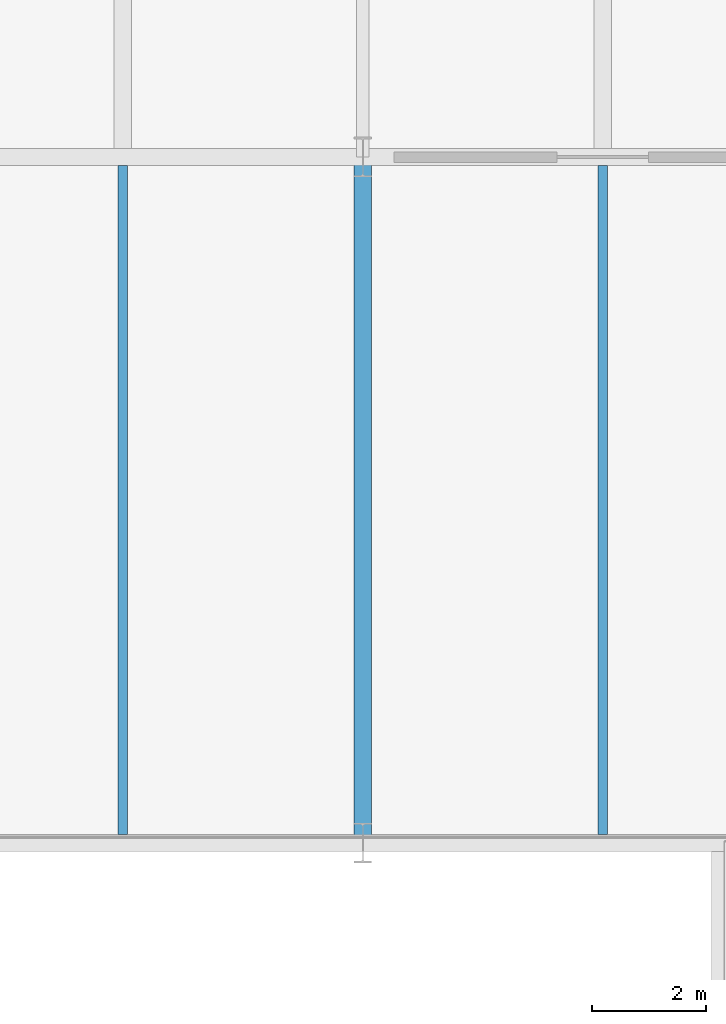
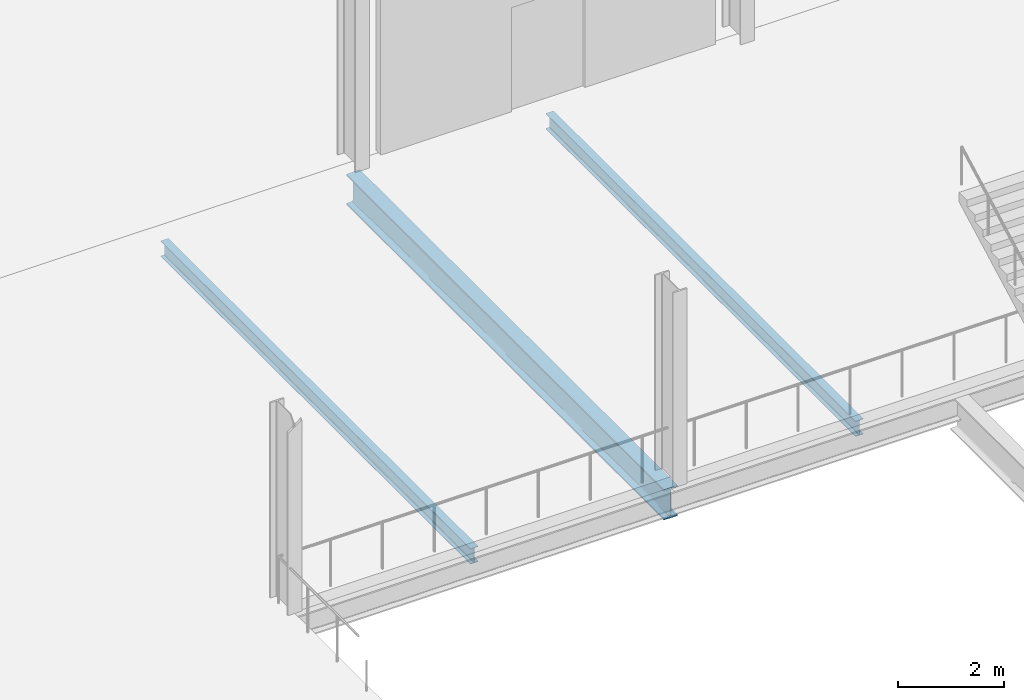
# One storey, part 49 of 113: 3 beams.
"""IFC4 building model written with IfcOpenShell, lengths in metres."""

from ifc_helpers import new_model, si_unit, direction, frame, origin, origin_2d, place, context, subcontext, project, spatial, i_section, extrude, material, material_profile, profile_set, type_object, element, save


model = new_model("IFC4")

# Units and contexts
model_context = context("Model", 3, precision=1e-05, world=origin(), true_north=direction((0.0, 1.0)))
body_context = subcontext(model_context, "Body", "Model", "MODEL_VIEW")
ifc_project = project(units=[si_unit("LENGTHUNIT", "METRE"), si_unit("AREAUNIT", "SQUARE_METRE"), si_unit("VOLUMEUNIT", "CUBIC_METRE"), si_unit("PLANEANGLEUNIT", "RADIAN"), si_unit("MASSUNIT", "GRAM", prefix="KILO")], contexts=[model_context])

# Site, building, storey
site_placement = place(None, origin())
site = spatial("IfcSite", under=ifc_project, at=site_placement, CompositionType="ELEMENT")
building_placement = place(site_placement, origin())
building = spatial("IfcBuilding", under=site, at=building_placement, Name="Veltarok Museum of Natural Sciences", CompositionType="ELEMENT")
storey_placement = place(building_placement, frame((0.0, 0.0, 8.39990234375)))
storey = spatial("IfcBuildingStorey", under=building, at=storey_placement, Name="L01", CompositionType="ELEMENT", Elevation=8.39990234375)

# Beams
ifc_material = material(Name="Steel S355J2", Category="steel")
ifc_material_profile_1 = material_profile(ifc_material, i_section(OverallWidth=0.169921875, OverallDepth=0.360107421875, WebThickness=0.008056640625, FlangeThickness=0.0126953125, FilletRadius=0.01806640625, at=origin_2d()), Name="IPE 360")
ifc_profile_set_1 = profile_set([ifc_material_profile_1], Name="Steel S355J2")
beam_type_1 = type_object("IfcBeamType", Name="Long-Bay Composite Joist IPE 360", PredefinedType="JOIST", material=ifc_profile_set_1)
for number, where, z_axis, x_axis, name in (
    (1, (61.0, 60.14794921875, -0.429931640625), (0.0, 1.0, 0.0), (-1.0, 0.0, 0.0), "Secondary Joist BM-J01 L01 7-8/G-H.1"),
    (2, (69.39990234375, 60.14794921875, -0.429931640625), (0.0, 1.0, 0.0), (-1.0, 0.0, 0.0), "Secondary Joist BM-J01 L01 8-9/G-H.1"),
):
    element("IfcBeam", number, at=place(storey_placement, frame(where, z_axis=z_axis, x_axis=x_axis)), inside=storey, type_object=beam_type_1, Name=name, PredefinedType="JOIST", context=body_context, shape_type="SweptSolid", body=[
        extrude(i_section(OverallWidth=0.169921875, OverallDepth=0.360107421875, WebThickness=0.008056640625, FlangeThickness=0.0126953125, FilletRadius=0.01806640625, at=origin_2d()), origin(), (0.0, 0.0, 1.0), 11.7041015625),
    ])
ifc_material_profile_2 = material_profile(ifc_material, i_section(OverallWidth=0.300048828125, OverallDepth=0.699951171875, WebThickness=0.01708984375, FlangeThickness=0.031982421875, FilletRadius=0.027099609375, at=origin_2d()), Name="HEB 700")
ifc_profile_set_2 = profile_set([ifc_material_profile_2], Name="Steel S355J2")
beam_type_2 = type_object("IfcBeamType", Name="Long-Span Hall Girder HEB 700", PredefinedType="BEAM", material=ifc_profile_set_2)
beam_placement = place(storey_placement, frame((65.199951171875, 60.0, -0.599853515625), z_axis=(0.0, 1.0, 0.0), x_axis=(-1.0, 0.0, 0.0)))
element("IfcBeam", 3, at=beam_placement, inside=storey, type_object=beam_type_2, Name="Beam BM-G01 L01 8/G-H", PredefinedType="BEAM", context=body_context, shape_type="SweptSolid", body=[
    extrude(i_section(OverallWidth=0.300048828125, OverallDepth=0.699951171875, WebThickness=0.01708984375, FlangeThickness=0.031982421875, FilletRadius=0.027099609375, at=origin_2d()), origin(), (0.0, 0.0, 1.0), 12.0),
])

save(model, "model.ifc")
